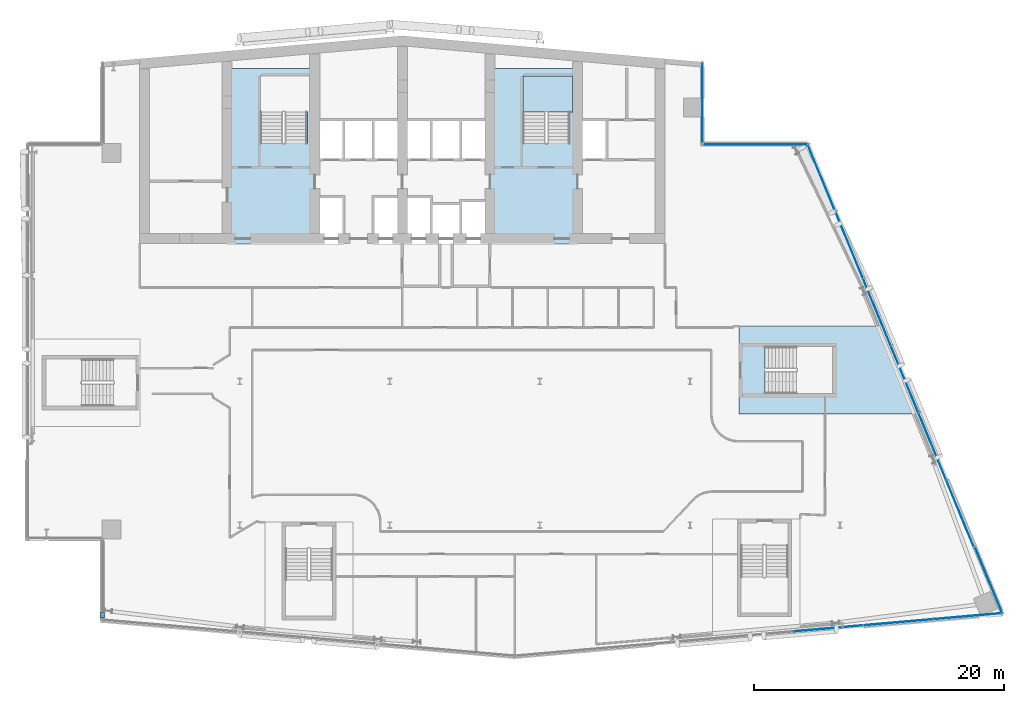
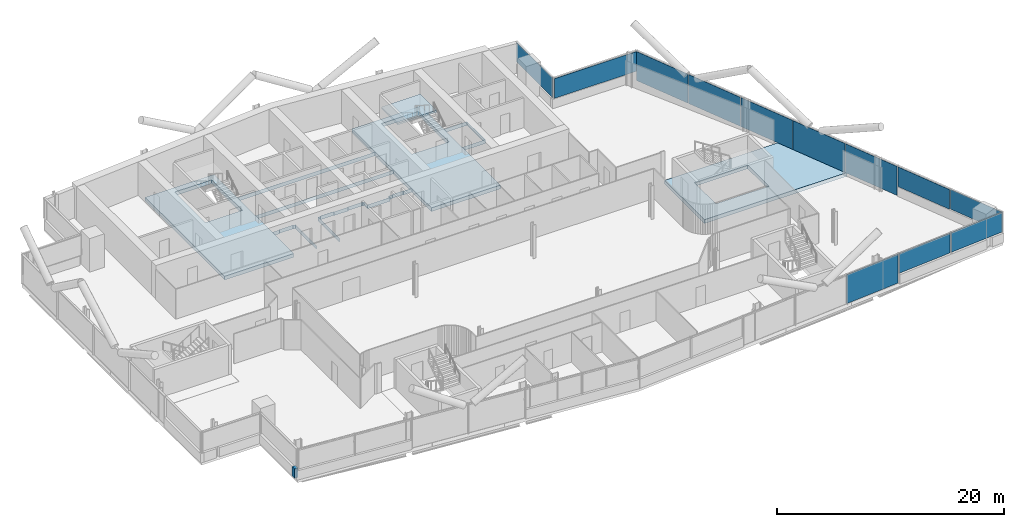
# One storey, part 13 of 27: 12 plates, 3 slabs, 1 wall, 5 elements without a shape of their own.
"""IFC4 building model written with IfcOpenShell, lengths in metres."""

from ifc_helpers import new_model, si_unit, direction, frame, frame_2d, origin, origin_2d, place, context, subcontext, project, spatial, polyline, rectangle, outline, extrude, material, layer, layer_set, type_object, element, aggregate, save


model = new_model("IFC4")

# Units and contexts
model_context = context("Model", 3, precision=1e-05, world=origin(), true_north=direction((0.0, 1.0)))
body_context = subcontext(model_context, "Body", "Model", "MODEL_VIEW")
ifc_project = project(units=[si_unit("LENGTHUNIT", "METRE"), si_unit("AREAUNIT", "SQUARE_METRE"), si_unit("VOLUMEUNIT", "CUBIC_METRE"), si_unit("PLANEANGLEUNIT", "RADIAN"), si_unit("MASSUNIT", "GRAM", prefix="KILO")], contexts=[model_context])

# Site, building, storey
site_placement = place(None, origin())
site = spatial("IfcSite", under=ifc_project, at=site_placement, CompositionType="ELEMENT")
building_placement = place(site_placement, origin())
building = spatial("IfcBuilding", under=site, at=building_placement, Name="Wharfspan Tower", CompositionType="ELEMENT")
storey_placement = place(building_placement, frame((0.0, 0.0, 159.100098)))
storey = spatial("IfcBuildingStorey", under=building, at=storey_placement, Name="L38", CompositionType="ELEMENT", Elevation=159.100098)

# Curtain wall, plates
ifc_material_1 = material(Name="Aluminium 6063-T6", Category="aluminium")
curtain_wall_type_1 = type_object("IfcCurtainWallType", Name="CURTAIN WALL FACETED FRONT", PredefinedType="NOTDEFINED", material=ifc_material_1)
curtain_wall_1_placement = place(storey_placement, origin())
curtain_wall_1 = element("IfcCurtainWall", 1, at=curtain_wall_1_placement, inside=storey, type_object=curtain_wall_type_1, Name="Curtain wall S2", PredefinedType="NOTDEFINED")
ifc_material_2 = material(Name="Glass clear low-iron double glazing", Category="glass")
ifc_layer_1 = layer(ifc_material_2, 0.040039)
ifc_layer_set_1 = layer_set([ifc_layer_1], Name="Glass clear low-iron double glazing")
plate_type_1 = type_object("IfcPlateType", Name="GLASS PANEL FACETED FRONT 40", PredefinedType="CURTAIN_PANEL", material=ifc_layer_set_1)
plate_1_placement = place(storey_placement, frame((76.637695, 3.728516, 0.999756), z_axis=(0.0, 0.0, 1.0), x_axis=(0.996198, 0.087156, 0.0)))
plate_1 = element("IfcPlate", 2, at=plate_1_placement, type_object=plate_type_1, Name="Curtain wall S2 panel 6", PredefinedType="CURTAIN_PANEL", context=body_context, shape_type="SweptSolid", body=[
    extrude(rectangle(XDim=5.532715, YDim=0.040039, at=origin_2d()), origin(), (0.0, 0.0, 1.0), 2.120117),
])
plate_2_placement = place(storey_placement, frame((82.194092, 4.214844, 0.999756), z_axis=(0.0, 0.0, 1.0), x_axis=(0.996198, 0.087156, 0.0)))
plate_2 = element("IfcPlate", 3, at=plate_2_placement, type_object=plate_type_1, Name="Curtain wall S2 panel 7", PredefinedType="CURTAIN_PANEL", context=body_context, shape_type="SweptSolid", body=[
    extrude(rectangle(XDim=5.502686, YDim=0.040039, at=origin_2d()), origin(), (0.0, 0.0, 1.0), 2.120117),
])

curtain_wall_type_2 = type_object("IfcCurtainWallType", Name="CURTAIN WALL PROW AND END", PredefinedType="NOTDEFINED", material=ifc_material_1)
curtain_wall_2_placement = place(storey_placement, origin())
curtain_wall_2 = element("IfcCurtainWall", 4, at=curtain_wall_2_placement, inside=storey, type_object=curtain_wall_type_2, Name="Curtain wall E", PredefinedType="NOTDEFINED")
ifc_layer_2 = layer(ifc_material_2, 0.040039)
ifc_layer_set_2 = layer_set([ifc_layer_2], Name="Glass clear low-iron double glazing")
plate_type_2 = type_object("IfcPlateType", Name="GLASS PANEL PROW AND END 40", PredefinedType="CURTAIN_PANEL", material=ifc_layer_set_2)
plate_3_placement = place(storey_placement, frame((83.885498, 7.099609, 0.999756), z_axis=(0.0, 0.0, 1.0), x_axis=(-0.381602, 0.924325, 0.0)))
plate_3 = element("IfcPlate", 5, at=plate_3_placement, type_object=plate_type_2, Name="Curtain wall E panel 1", PredefinedType="CURTAIN_PANEL", context=body_context, shape_type="SweptSolid", body=[
    extrude(rectangle(XDim=5.721191, YDim=0.040039, at=origin_2d()), origin(), (0.0, 0.0, 1.0), 2.120117),
])
plate_4_placement = place(storey_placement, frame((81.599609, 12.426514, 0.999756), z_axis=(0.0, 0.0, 1.0), x_axis=(-0.381602, 0.924325, 0.0)))
plate_4 = element("IfcPlate", 6, at=plate_4_placement, type_object=plate_type_2, Name="Curtain wall E panel 2", PredefinedType="CURTAIN_PANEL", context=body_context, shape_type="SweptSolid", body=[
    extrude(rectangle(XDim=5.751221, YDim=0.040039, at=origin_2d()), origin(), (0.0, 0.0, 1.0), 2.120117),
])

# Curtain wall, plate
curtain_wall_3_placement = place(storey_placement, origin())
curtain_wall_3 = element("IfcCurtainWall", 7, at=curtain_wall_3_placement, inside=storey, type_object=curtain_wall_type_2, Name="Curtain wall NRE-H", PredefinedType="NOTDEFINED")
plate_5_placement = place(storey_placement, frame((65.238525, 41.919922, 0.999756), z_axis=(0.0, 0.0, 1.0), x_axis=(-1.0, 0.0, 0.0)))
plate_5 = element("IfcPlate", 8, at=plate_5_placement, type_object=plate_type_2, Name="Curtain wall NRE-H panel 1", PredefinedType="CURTAIN_PANEL", context=body_context, shape_type="SweptSolid", body=[
    extrude(rectangle(XDim=8.357178, YDim=0.040039, at=origin_2d()), origin(), (0.0, 0.0, 1.0), 2.120117),
])
aggregate(curtain_wall_3, [plate_5])

curtain_wall_4_placement = place(storey_placement, origin())
curtain_wall_4 = element("IfcCurtainWall", 9, at=curtain_wall_4_placement, inside=storey, type_object=curtain_wall_type_2, Name="Curtain wall NRE-V", PredefinedType="NOTDEFINED")
plate_6_placement = place(storey_placement, frame((61.0, 45.262451, 0.999756), z_axis=(0.0, 0.0, 1.0), x_axis=(0.0, 1.0, 0.0)))
plate_6 = element("IfcPlate", 10, at=plate_6_placement, type_object=plate_type_2, Name="Curtain wall NRE-V panel 1", PredefinedType="CURTAIN_PANEL", context=body_context, shape_type="SweptSolid", body=[
    extrude(rectangle(XDim=6.405029, YDim=0.040039, at=origin_2d()), origin(), (0.0, 0.0, 1.0), 2.120117),
])
aggregate(curtain_wall_4, [plate_6])

# Plate
ifc_material_3 = material(Name="Aluminium composite opaque insulated panel", Category="aluminium")
ifc_layer_3 = layer(ifc_material_3, 0.040039)
ifc_layer_set_3 = layer_set([ifc_layer_3], Name="Aluminium composite opaque insulated panel")
plate_type_3 = type_object("IfcPlateType", Name="INFILL PANEL FACETED FRONT OPAQUE 40", PredefinedType="SHEET", material=ifc_layer_set_3)
plate_7_placement = place(storey_placement, frame((71.066162, 3.241211, -0.000244), z_axis=(0.0, 0.0, 1.0), x_axis=(0.996198, 0.087156, 0.0)))
plate_7 = element("IfcPlate", 11, at=plate_7_placement, type_object=plate_type_3, Name="Curtain wall S2 panel 5", PredefinedType="SHEET", context=body_context, shape_type="SweptSolid", body=[
    extrude(rectangle(XDim=5.532715, YDim=0.040039, at=origin_2d()), origin(), (0.0, 0.0, 1.0), 3.120117),
])

aggregate(curtain_wall_1, [plate_7, plate_1, plate_2])

ifc_layer_4 = layer(ifc_material_3, 0.040039)
ifc_layer_set_4 = layer_set([ifc_layer_4], Name="Aluminium composite opaque insulated panel")
plate_type_4 = type_object("IfcPlateType", Name="INFILL PANEL PROW AND END OPAQUE 40", PredefinedType="SHEET", material=ifc_layer_set_4)
plate_8_placement = place(storey_placement, frame((79.38208, 17.798096, -0.000244), z_axis=(0.0, 0.0, 1.0), x_axis=(-0.381602, 0.924325, 0.0)))
plate_8 = element("IfcPlate", 12, at=plate_8_placement, type_object=plate_type_4, Name="Curtain wall E panel 3", PredefinedType="SHEET", context=body_context, shape_type="SweptSolid", body=[
    extrude(rectangle(XDim=5.751221, YDim=0.040039, at=origin_2d()), origin(), (0.0, 0.0, 1.0), 3.120117),
])

plate_9_placement = place(storey_placement, frame((77.164551, 23.169434, -0.000244), z_axis=(0.0, 0.0, 1.0), x_axis=(-0.381602, 0.924325, 0.0)))
plate_9 = element("IfcPlate", 13, at=plate_9_placement, type_object=plate_type_4, Name="Curtain wall E panel 4", PredefinedType="SHEET", context=body_context, shape_type="SweptSolid", body=[
    extrude(rectangle(XDim=5.751221, YDim=0.040039, at=origin_2d()), origin(), (0.0, 0.0, 1.0), 3.120117),
])

plate_10_placement = place(storey_placement, frame((74.947021, 28.541016, -0.000244), z_axis=(0.0, 0.0, 1.0), x_axis=(-0.381602, 0.924325, 0.0)))
plate_10 = element("IfcPlate", 14, at=plate_10_placement, type_object=plate_type_4, Name="Curtain wall E panel 5", PredefinedType="SHEET", context=body_context, shape_type="SweptSolid", body=[
    extrude(rectangle(XDim=5.751221, YDim=0.040039, at=origin_2d()), origin(), (0.0, 0.0, 1.0), 3.120117),
])

plate_11_placement = place(storey_placement, frame((72.729492, 33.912354, -0.000244), z_axis=(0.0, 0.0, 1.0), x_axis=(-0.381602, 0.924325, 0.0)))
plate_11 = element("IfcPlate", 15, at=plate_11_placement, type_object=plate_type_4, Name="Curtain wall E panel 6", PredefinedType="SHEET", context=body_context, shape_type="SweptSolid", body=[
    extrude(rectangle(XDim=5.751221, YDim=0.040039, at=origin_2d()), origin(), (0.0, 0.0, 1.0), 3.120117),
])

plate_12_placement = place(storey_placement, frame((70.517578, 39.269775, -0.000244), z_axis=(0.0, 0.0, 1.0), x_axis=(-0.381602, 0.924325, 0.0)))
plate_12 = element("IfcPlate", 16, at=plate_12_placement, type_object=plate_type_4, Name="Curtain wall E panel 7", PredefinedType="SHEET", context=body_context, shape_type="SweptSolid", body=[
    extrude(rectangle(XDim=5.721191, YDim=0.040039, at=origin_2d()), origin(), (0.0, 0.0, 1.0), 3.120117),
])

aggregate(curtain_wall_2, [plate_3, plate_4, plate_8, plate_9, plate_10, plate_11, plate_12])

# Slabs
ifc_material_4 = material(Name="Concrete C40/50", Category="concrete")
ifc_layer_5 = layer(ifc_material_4, 0.399902)
ifc_layer_set_5 = layer_set([ifc_layer_5], Name="Concrete C40/50")
slab_type_1 = type_object("IfcSlabType", Name="Post-tensioned flat slab 400", PredefinedType="FLOOR", material=ifc_layer_set_5)
slab_1_placement = place(storey_placement, frame((0.0, 0.0, -0.400146)))
element("IfcSlab", 17, at=slab_1_placement, inside=storey, type_object=slab_type_1, Name="Core floor slab L38 part 3", PredefinedType="FLOOR", context=body_context, shape_type="SweptSolid", body=[
    extrude(outline(polyline([(23.0, 34.0), (29.998047, 34.0), (29.998047, 37.75), (29.998047, 37.750244), (29.998047, 37.750488), (29.998047, 37.750488), (29.998291, 37.750732), (29.998291, 37.750977), (29.998291, 37.751221), (29.998535, 37.751221), (29.998535, 37.751465), (29.998779, 37.751465), (29.998779, 37.751709), (29.999023, 37.751709), (29.999268, 37.751709), (29.999512, 37.751953), (29.999512, 37.751953), (29.999756, 37.751953), (30.0, 37.751953), (30.7146, 37.751953), (30.7146, 37.800049), (30.7146, 37.800293), (30.7146, 37.800293), (30.714844, 37.800537), (30.714844, 37.800781), (30.714844, 37.800781), (30.715088, 37.801025), (30.715088, 37.80127), (30.715332, 37.801514), (30.715332, 37.801514), (30.715576, 37.801758), (30.71582, 37.801758), (30.71582, 37.801758), (30.716064, 37.802002), (30.716309, 37.802002), (30.716553, 37.802002), (30.716797, 37.802002), (32.116699, 37.802002), (32.116943, 37.802002), (32.117188, 37.802002), (32.117188, 37.802002), (32.117432, 37.801758), (32.117676, 37.801758), (32.11792, 37.801758), (32.11792, 37.801514), (32.118164, 37.801514), (32.118164, 37.80127), (32.118408, 37.801025), (32.118408, 37.800781), (32.118408, 37.800781), (32.118652, 37.800537), (32.118652, 37.800293), (32.118652, 37.800293), (32.118652, 37.800049), (32.118652, 37.751953), (32.333252, 37.751953), (32.333496, 37.751953), (32.33374, 37.751953), (32.333984, 37.751953), (32.333984, 37.751709), (32.334229, 37.751709), (32.334473, 37.751709), (32.334717, 37.751465), (32.334717, 37.751465), (32.334961, 37.751221), (32.334961, 37.751221), (32.335205, 37.750977), (32.335205, 37.750732), (32.335205, 37.750488), (32.335205, 37.750488), (32.335205, 37.750244), (32.335205, 37.75), (32.335205, 34.0), (32.341309, 34.0), (32.341309, 37.758057), (32.126709, 37.758057), (32.126465, 37.758057), (32.126221, 37.758057), (32.126221, 37.758057), (32.125977, 37.758301), (32.125732, 37.758301), (32.125488, 37.758301), (32.125488, 37.758545), (32.125244, 37.758545), (32.125244, 37.758789), (32.125, 37.758789), (32.125, 37.759033), (32.125, 37.759277), (32.124756, 37.759521), (32.124756, 37.759521), (32.124756, 37.759766), (32.124756, 37.76001), (32.124756, 37.808105), (30.70874, 37.808105), (30.70874, 37.76001), (30.70874, 37.759766), (30.70874, 37.759521), (30.708496, 37.759521), (30.708496, 37.759277), (30.708496, 37.759033), (30.708496, 37.758789), (30.708252, 37.758789), (30.708008, 37.758545), (30.708008, 37.758545), (30.707764, 37.758301), (30.70752, 37.758301), (30.70752, 37.758301), (30.707275, 37.758057), (30.707031, 37.758057), (30.706787, 37.758057), (30.706787, 37.758057), (30.01001, 37.758057), (30.009766, 37.758057), (30.009521, 37.758057), (30.009521, 37.758057), (30.009277, 37.758301), (30.009033, 37.758301), (30.008789, 37.758301), (30.008789, 37.758545), (30.008545, 37.758545), (30.008545, 37.758789), (30.008301, 37.758789), (30.008301, 37.759033), (30.008301, 37.759277), (30.008057, 37.759521), (30.008057, 37.759521), (30.008057, 37.759766), (30.008057, 37.76001), (30.008057, 40.689941), (30.008057, 40.690186), (30.008057, 40.69043), (30.008057, 40.690674), (30.008301, 40.690918), (30.008301, 40.690918), (30.008301, 40.691162), (30.008545, 40.691406), (30.008545, 40.691406), (30.008789, 40.691406), (30.008789, 40.69165), (30.009033, 40.691895), (30.009277, 40.691895), (30.009521, 40.691895), (30.009521, 40.691895), (30.009766, 40.691895), (30.01001, 40.691895), (43.98999, 40.691895), (43.990234, 40.691895), (43.990479, 40.691895), (43.990479, 40.691895), (43.990723, 40.691895), (43.990967, 40.691895), (43.991211, 40.69165), (43.991211, 40.691406), (43.991455, 40.691406), (43.991455, 40.691406), (43.991699, 40.691162), (43.991699, 40.690918), (43.991699, 40.690918), (43.991943, 40.690674), (43.991943, 40.69043), (43.991943, 40.690186), (43.991943, 40.689941), (43.991943, 37.459961), (43.991943, 37.459717), (43.991943, 37.459717), (43.991943, 37.459473), (43.991699, 37.459229), (43.991699, 37.458984), (43.991699, 37.458984), (43.991455, 37.45874), (43.991455, 37.458496), (43.991211, 37.458496), (43.991211, 37.458252), (43.990967, 37.458252), (43.990723, 37.458252), (43.990479, 37.458008), (43.990479, 37.458008), (43.990234, 37.458008), (43.98999, 37.458008), (43.143311, 37.458008), (43.143066, 37.458008), (43.142822, 37.458008), (43.142578, 37.458008), (43.142578, 37.458252), (43.142334, 37.458252), (43.14209, 37.458252), (43.14209, 37.458496), (43.141846, 37.458496), (43.141846, 37.45874), (43.141602, 37.458984), (43.141602, 37.458984), (43.141602, 37.459229), (43.141357, 37.459473), (43.141357, 37.459717), (43.141357, 37.459717), (43.141357, 37.459961), (43.141357, 37.508057), (42.025391, 37.508057), (42.025391, 37.459961), (42.025391, 37.459717), (42.025391, 37.459717), (42.025146, 37.459473), (42.025146, 37.459229), (42.025146, 37.458984), (42.024902, 37.458984), (42.024902, 37.45874), (42.024658, 37.458496), (42.024658, 37.458496), (42.024414, 37.458252), (42.02417, 37.458252), (42.02417, 37.458252), (42.023926, 37.458008), (42.023682, 37.458008), (42.023438, 37.458008), (42.023193, 37.458008), (41.658691, 37.458008), (41.658691, 37.209961), (41.658691, 37.209717), (41.658691, 37.209717), (41.658691, 37.209473), (41.658447, 37.209229), (41.658447, 37.208984), (41.658447, 37.208984), (41.658203, 37.20874), (41.658203, 37.208496), (41.657959, 37.208496), (41.657715, 37.208252), (41.657715, 37.208252), (41.657471, 37.208252), (41.657227, 37.208008), (41.656982, 37.208008), (41.656982, 37.208008), (41.656738, 37.208008), (39.343262, 37.208008), (39.343018, 37.208008), (39.343018, 37.208008), (39.342773, 37.208008), (39.342529, 37.208252), (39.342285, 37.208252), (39.342285, 37.208252), (39.342041, 37.208496), (39.341797, 37.208496), (39.341797, 37.20874), (39.341553, 37.208984), (39.341553, 37.208984), (39.341553, 37.209229), (39.341309, 37.209473), (39.341309, 37.209717), (39.341309, 37.209717), (39.341309, 37.209961), (39.341309, 37.758057), (39.166748, 37.758057), (39.166504, 37.758057), (39.16626, 37.758057), (39.166016, 37.758057), (39.166016, 37.758301), (39.165771, 37.758301), (39.165527, 37.758301), (39.165283, 37.758545), (39.165283, 37.758545), (39.165283, 37.758789), (39.165039, 37.758789), (39.164795, 37.759033), (39.164795, 37.759277), (39.164795, 37.759521), (39.164795, 37.759521), (39.164795, 37.759766), (39.164795, 37.76001), (39.164795, 37.808105), (37.668701, 37.808105), (37.668701, 37.76001), (37.668701, 37.759766), (37.668701, 37.759521), (37.668701, 37.759521), (37.668457, 37.759277), (37.668457, 37.759033), (37.668457, 37.758789), (37.668213, 37.758789), (37.668213, 37.758545), (37.667969, 37.758545), (37.667725, 37.758301), (37.66748, 37.758301), (37.66748, 37.758301), (37.667236, 37.758057), (37.666992, 37.758057), (37.666992, 37.758057), (37.666748, 37.758057), (36.293213, 37.758057), (36.293213, 37.758057), (36.292969, 37.758057), (36.292725, 37.758057), (36.29248, 37.758301), (36.29248, 37.758301), (36.292236, 37.758301), (36.291992, 37.758545), (36.291992, 37.758545), (36.291748, 37.758789), (36.291504, 37.758789), (36.291504, 37.759033), (36.291504, 37.759277), (36.291504, 37.759521), (36.29126, 37.759521), (36.29126, 37.759766), (36.29126, 37.76001), (36.29126, 37.808105), (34.875244, 37.808105), (34.875244, 37.76001), (34.875244, 37.759766), (34.875244, 37.759521), (34.875244, 37.759521), (34.875, 37.759277), (34.875, 37.759033), (34.875, 37.758789), (34.874756, 37.758789), (34.874756, 37.758545), (34.874512, 37.758545), (34.874512, 37.758301), (34.874268, 37.758301), (34.874023, 37.758301), (34.873779, 37.758057), (34.873779, 37.758057), (34.873535, 37.758057), (34.873291, 37.758057), (34.658691, 37.758057), (34.658691, 34.0), (34.664795, 34.0), (34.664795, 37.75), (34.664795, 37.750244), (34.664795, 37.750488), (34.664795, 37.750488), (34.664795, 37.750732), (34.664795, 37.750977), (34.665039, 37.751221), (34.665039, 37.751221), (34.665283, 37.751465), (34.665283, 37.751465), (34.665527, 37.751709), (34.665771, 37.751709), (34.666016, 37.751709), (34.666016, 37.751953), (34.66626, 37.751953), (34.666504, 37.751953), (34.666748, 37.751953), (34.881348, 37.751953), (34.881348, 37.800049), (34.881348, 37.800293), (34.881348, 37.800293), (34.881348, 37.800537), (34.881592, 37.800781), (34.881592, 37.800781), (34.881592, 37.801025), (34.881836, 37.80127), (34.881836, 37.801514), (34.88208, 37.801514), (34.88208, 37.801758), (34.882324, 37.801758), (34.882568, 37.801758), (34.882812, 37.802002), (34.882812, 37.802002), (34.883057, 37.802002), (34.883301, 37.802002), (36.283203, 37.802002), (36.283447, 37.802002), (36.283691, 37.802002), (36.283936, 37.802002), (36.28418, 37.801758), (36.28418, 37.801758), (36.284424, 37.801758), (36.284668, 37.801514), (36.284668, 37.801514), (36.284912, 37.80127), (36.284912, 37.801025), (36.285156, 37.800781), (36.285156, 37.800781), (36.285156, 37.800537), (36.2854, 37.800293), (36.2854, 37.800293), (36.2854, 37.800049), (36.2854, 37.751953), (37.674805, 37.751953), (37.674805, 37.800049), (37.674805, 37.800293), (37.674805, 37.800293), (37.674805, 37.800537), (37.674805, 37.800781), (37.674805, 37.800781), (37.675049, 37.801025), (37.675049, 37.80127), (37.675293, 37.801514), (37.675293, 37.801514), (37.675537, 37.801758), (37.675781, 37.801758), (37.675781, 37.801758), (37.676025, 37.802002), (37.67627, 37.802002), (37.676514, 37.802002), (37.676758, 37.802002), (39.156738, 37.802002), (39.156982, 37.802002), (39.156982, 37.802002), (39.157227, 37.802002), (39.157471, 37.801758), (39.157715, 37.801758), (39.157715, 37.801758), (39.157959, 37.801514), (39.158203, 37.801514), (39.158203, 37.80127), (39.158203, 37.801025), (39.158447, 37.800781), (39.158447, 37.800781), (39.158691, 37.800537), (39.158691, 37.800293), (39.158691, 37.800293), (39.158691, 37.800049), (39.158691, 37.751953), (39.333252, 37.751953), (39.333496, 37.751953), (39.33374, 37.751953), (39.333984, 37.751953), (39.333984, 37.751709), (39.334229, 37.751709), (39.334473, 37.751709), (39.334717, 37.751465), (39.334717, 37.751465), (39.334961, 37.751221), (39.334961, 37.751221), (39.335205, 37.750977), (39.335205, 37.750732), (39.335205, 37.750488), (39.335205, 37.750488), (39.335205, 37.750244), (39.335205, 37.75), (39.335205, 37.201904), (41.664795, 37.201904), (41.664795, 37.449951), (41.664795, 37.450195), (41.664795, 37.450439), (41.664795, 37.450684), (41.664795, 37.450684), (41.664795, 37.450928), (41.665039, 37.451172), (41.665039, 37.451416), (41.665283, 37.451416), (41.665283, 37.451416), (41.665527, 37.45166), (41.665771, 37.451904), (41.666016, 37.451904), (41.666016, 37.451904), (41.66626, 37.451904), (41.666504, 37.451904), (41.666748, 37.451904), (42.03125, 37.451904), (42.03125, 37.5), (42.03125, 37.500244), (42.031494, 37.500488), (42.031494, 37.500488), (42.031494, 37.500732), (42.031494, 37.500977), (42.031738, 37.501221), (42.031738, 37.501221), (42.031982, 37.501465), (42.031982, 37.501465), (42.032227, 37.501709), (42.032471, 37.501709), (42.032715, 37.501709), (42.032715, 37.501953), (42.032959, 37.501953), (42.033203, 37.501953), (42.033203, 37.501953), (43.133301, 37.501953), (43.133545, 37.501953), (43.133789, 37.501953), (43.133789, 37.501953), (43.134033, 37.501709), (43.134277, 37.501709), (43.134521, 37.501709), (43.134521, 37.501465), (43.134766, 37.501465), (43.13501, 37.501221), (43.13501, 37.501221), (43.13501, 37.500977), (43.135254, 37.500732), (43.135254, 37.500488), (43.135254, 37.500488), (43.135254, 37.500244), (43.135254, 37.5), (43.135254, 37.451904), (44.0, 37.451904), (44.000244, 37.451904), (44.000488, 37.451904), (44.000488, 37.451904), (44.000732, 37.451904), (44.000977, 37.451904), (44.001221, 37.45166), (44.001221, 37.451416), (44.001465, 37.451416), (44.001465, 37.451416), (44.001709, 37.451172), (44.001709, 37.450928), (44.001709, 37.450684), (44.001953, 37.450684), (44.001953, 37.450439), (44.001953, 37.450195), (44.001953, 37.449951), (44.001953, 34.0), (51.0, 34.0), (51.008057, 34.0), (51.008057, 40.689941), (51.008057, 40.690186), (51.008057, 40.69043), (51.008057, 40.690674), (51.008301, 40.690918), (51.008301, 40.690918), (51.008301, 40.691162), (51.008545, 40.691406), (51.008545, 40.691406), (51.008789, 40.691406), (51.008789, 40.69165), (51.009033, 40.691895), (51.009277, 40.691895), (51.009521, 40.691895), (51.009521, 40.691895), (51.009766, 40.691895), (51.01001, 40.691895), (53.341309, 40.691895), (53.341309, 43.907959), (51.01001, 43.907959), (51.009766, 43.907959), (51.009521, 43.907959), (51.009521, 43.908203), (51.009277, 43.908203), (51.009033, 43.908203), (51.008789, 43.908203), (51.008789, 43.908447), (51.008545, 43.908691), (51.008545, 43.908691), (51.008301, 43.908936), (51.008301, 43.90918), (51.008301, 43.90918), (51.008057, 43.909424), (51.008057, 43.909668), (51.008057, 43.909912), (51.008057, 43.909912), (51.008057, 48.008057), (43.991943, 48.008057), (43.991943, 43.909912), (43.991943, 43.909912), (43.991943, 43.909668), (43.991943, 43.909424), (43.991699, 43.90918), (43.991699, 43.90918), (43.991699, 43.908936), (43.991455, 43.908691), (43.991455, 43.908691), (43.991211, 43.908447), (43.991211, 43.908203), (43.990967, 43.908203), (43.990723, 43.908203), (43.990479, 43.908203), (43.990479, 43.907959), (43.990234, 43.907959), (43.98999, 43.907959), (30.01001, 43.907959), (30.009766, 43.907959), (30.009521, 43.907959), (30.009521, 43.908203), (30.009277, 43.908203), (30.009033, 43.908203), (30.008789, 43.908203), (30.008789, 43.908447), (30.008545, 43.908691), (30.008545, 43.908691), (30.008301, 43.908936), (30.008301, 43.90918), (30.008301, 43.90918), (30.008057, 43.909424), (30.008057, 43.909668), (30.008057, 43.909912), (30.008057, 43.909912), (30.008057, 48.008057), (22.991943, 48.008057), (22.991943, 34.0), (23.0, 34.0)]), holes=[polyline([(53.333252, 43.9021), (53.333496, 43.9021), (53.33374, 43.9021), (53.333984, 43.901855), (53.333984, 43.901855), (53.334229, 43.901855), (53.334473, 43.901611), (53.334717, 43.901611), (53.334717, 43.901367), (53.334961, 43.901367), (53.334961, 43.901123), (53.335205, 43.900879), (53.335205, 43.900879), (53.335205, 43.900635), (53.335205, 43.900391), (53.335205, 43.900146), (53.335205, 43.899902), (53.335205, 40.699951), (53.335205, 40.699707), (53.335205, 40.699707), (53.335205, 40.699463), (53.335205, 40.699219), (53.335205, 40.699219), (53.334961, 40.698975), (53.334961, 40.69873), (53.334717, 40.698486), (53.334717, 40.698486), (53.334473, 40.698242), (53.334229, 40.698242), (53.333984, 40.698242), (53.333984, 40.697998), (53.33374, 40.697998), (53.333496, 40.697998), (53.333252, 40.697998), (51.0, 40.697998), (50.999756, 40.697998), (50.999512, 40.697998), (50.999512, 40.697998), (50.999268, 40.698242), (50.999023, 40.698242), (50.998779, 40.698242), (50.998779, 40.698486), (50.998535, 40.698486), (50.998535, 40.69873), (50.998291, 40.698975), (50.998291, 40.699219), (50.998291, 40.699219), (50.998047, 40.699463), (50.998047, 40.699707), (50.998047, 40.699707), (50.998047, 40.699951), (50.998047, 43.899902), (50.998047, 43.900146), (50.998047, 43.900391), (50.998047, 43.900635), (50.998291, 43.900879), (50.998291, 43.900879), (50.998291, 43.901123), (50.998535, 43.901367), (50.998535, 43.901367), (50.998779, 43.901611), (50.998779, 43.901611), (50.999023, 43.901855), (50.999268, 43.901855), (50.999512, 43.901855), (50.999512, 43.9021), (50.999756, 43.9021), (51.0, 43.9021), (53.333252, 43.9021)]), polyline([(46.649902, 41.998047), (46.649902, 41.998047), (46.649658, 41.998047), (46.649414, 41.998047), (46.64917, 41.998291), (46.64917, 41.998291), (46.648926, 41.998291), (46.648682, 41.998535), (46.648682, 41.998535), (46.648438, 41.998779), (46.648193, 41.998779), (46.648193, 41.999023), (46.648193, 41.999268), (46.648193, 41.999512), (46.647949, 41.999512), (46.647949, 41.999756), (46.647949, 42.0), (46.647949, 47.399902), (46.647949, 47.400146), (46.647949, 47.400391), (46.648193, 47.400635), (46.648193, 47.400879), (46.648193, 47.400879), (46.648193, 47.401123), (46.648438, 47.401367), (46.648682, 47.401367), (46.648682, 47.401611), (46.648926, 47.401611), (46.64917, 47.401855), (46.64917, 47.401855), (46.649414, 47.401855), (46.649658, 47.4021), (46.649902, 47.4021), (46.649902, 47.4021), (50.399902, 47.4021), (50.400146, 47.4021), (50.400391, 47.4021), (50.400635, 47.401855), (50.400879, 47.401855), (50.400879, 47.401855), (50.401123, 47.401611), (50.401367, 47.401611), (50.401367, 47.401367), (50.401611, 47.401367), (50.401611, 47.401123), (50.401855, 47.400879), (50.401855, 47.400879), (50.401855, 47.400635), (50.4021, 47.400391), (50.4021, 47.400146), (50.4021, 47.399902), (50.4021, 42.0), (50.4021, 41.999756), (50.4021, 41.999512), (50.401855, 41.999512), (50.401855, 41.999268), (50.401855, 41.999023), (50.401611, 41.998779), (50.401611, 41.998779), (50.401367, 41.998535), (50.401367, 41.998535), (50.401123, 41.998291), (50.400879, 41.998291), (50.400879, 41.998291), (50.400635, 41.998047), (50.400391, 41.998047), (50.400146, 41.998047), (50.399902, 41.998047), (46.649902, 41.998047)]), polyline([(44.0, 43.9021), (44.000244, 43.9021), (44.000488, 43.9021), (44.000488, 43.901855), (44.000732, 43.901855), (44.000977, 43.901855), (44.001221, 43.901611), (44.001221, 43.901611), (44.001465, 43.901367), (44.001465, 43.901367), (44.001709, 43.901123), (44.001709, 43.900879), (44.001709, 43.900879), (44.001953, 43.900635), (44.001953, 43.900391), (44.001953, 43.900146), (44.001953, 43.899902), (44.001953, 40.699951), (44.001953, 40.699707), (44.001953, 40.699707), (44.001953, 40.699463), (44.001709, 40.699219), (44.001709, 40.699219), (44.001709, 40.698975), (44.001465, 40.69873), (44.001465, 40.698486), (44.001221, 40.698486), (44.001221, 40.698242), (44.000977, 40.698242), (44.000732, 40.698242), (44.000488, 40.697998), (44.000488, 40.697998), (44.000244, 40.697998), (44.0, 40.697998), (30.0, 40.697998), (29.999756, 40.697998), (29.999512, 40.697998), (29.999512, 40.697998), (29.999268, 40.698242), (29.999023, 40.698242), (29.998779, 40.698242), (29.998779, 40.698486), (29.998535, 40.698486), (29.998535, 40.69873), (29.998291, 40.698975), (29.998291, 40.699219), (29.998291, 40.699219), (29.998047, 40.699463), (29.998047, 40.699707), (29.998047, 40.699707), (29.998047, 40.699951), (29.998047, 43.899902), (29.998047, 43.900146), (29.998047, 43.900391), (29.998047, 43.900635), (29.998291, 43.900879), (29.998291, 43.900879), (29.998291, 43.901123), (29.998535, 43.901367), (29.998535, 43.901367), (29.998779, 43.901611), (29.998779, 43.901611), (29.999023, 43.901855), (29.999268, 43.901855), (29.999512, 43.901855), (29.999512, 43.9021), (29.999756, 43.9021), (30.0, 43.9021), (44.0, 43.9021)]), polyline([(29.4021, 42.0), (29.4021, 41.999756), (29.4021, 41.999512), (29.401855, 41.999512), (29.401855, 41.999268), (29.401855, 41.999023), (29.401611, 41.998779), (29.401611, 41.998779), (29.401367, 41.998535), (29.401367, 41.998535), (29.401123, 41.998291), (29.400879, 41.998291), (29.400879, 41.998291), (29.400635, 41.998047), (29.400391, 41.998047), (29.400146, 41.998047), (29.399902, 41.998047), (25.649902, 41.998047), (25.649902, 41.998047), (25.649658, 41.998047), (25.649414, 41.998047), (25.64917, 41.998291), (25.64917, 41.998291), (25.648926, 41.998291), (25.648682, 41.998535), (25.648682, 41.998535), (25.648438, 41.998779), (25.648193, 41.998779), (25.648193, 41.999023), (25.648193, 41.999268), (25.648193, 41.999512), (25.647949, 41.999512), (25.647949, 41.999756), (25.647949, 42.0), (25.647949, 47.399902), (25.647949, 47.400146), (25.647949, 47.400391), (25.648193, 47.400635), (25.648193, 47.400879), (25.648193, 47.400879), (25.648193, 47.401123), (25.648438, 47.401367), (25.648682, 47.401367), (25.648682, 47.401611), (25.648926, 47.401611), (25.64917, 47.401855), (25.64917, 47.401855), (25.649414, 47.401855), (25.649658, 47.4021), (25.649902, 47.4021), (25.649902, 47.4021), (29.399902, 47.4021), (29.400146, 47.4021), (29.400391, 47.4021), (29.400635, 47.401855), (29.400879, 47.401855), (29.400879, 47.401855), (29.401123, 47.401611), (29.401367, 47.401611), (29.401367, 47.401367), (29.401611, 47.401367), (29.401611, 47.401123), (29.401855, 47.400879), (29.401855, 47.400879), (29.401855, 47.400635), (29.4021, 47.400391), (29.4021, 47.400146), (29.4021, 47.399902), (29.4021, 42.0)])]), origin(), (0.0, 0.0, 1.0), 0.400146),
])
slab_2_placement = place(storey_placement, frame((0.0, 0.0, -0.400146)))
element("IfcSlab", 18, at=slab_2_placement, inside=storey, type_object=slab_type_1, Name="Core floor slab L38 part 5", PredefinedType="FLOOR", context=body_context, shape_type="SweptSolid", body=[
    extrude(outline(polyline([(78.394531, 20.399902), (75.504639, 27.399902), (63.904541, 27.399902), (63.904541, 20.399902), (78.394531, 20.399902)]), holes=[polyline([(66.004639, 22.022949), (66.004395, 22.022949), (66.00415, 22.022949), (66.003906, 22.023193), (66.003906, 22.023193), (66.003662, 22.023193), (66.003418, 22.023193), (66.003418, 22.023438), (66.003174, 22.023682), (66.00293, 22.023682), (66.00293, 22.023926), (66.002686, 22.02417), (66.002686, 22.02417), (66.002686, 22.024414), (66.002686, 22.024658), (66.002686, 22.024902), (66.002686, 22.024902), (66.002686, 25.774902), (66.002686, 25.775146), (66.002686, 25.775391), (66.002686, 25.775635), (66.002686, 25.775879), (66.002686, 25.775879), (66.00293, 25.776123), (66.00293, 25.776367), (66.003174, 25.776367), (66.003418, 25.776611), (66.003418, 25.776611), (66.003662, 25.776855), (66.003906, 25.776855), (66.003906, 25.776855), (66.00415, 25.7771), (66.004395, 25.7771), (66.004639, 25.7771), (71.404541, 25.7771), (71.404785, 25.7771), (71.405029, 25.7771), (71.405273, 25.776855), (71.405518, 25.776855), (71.405518, 25.776855), (71.405762, 25.776611), (71.406006, 25.776611), (71.406006, 25.776367), (71.406006, 25.776367), (71.40625, 25.776123), (71.406494, 25.775879), (71.406494, 25.775879), (71.406494, 25.775635), (71.406494, 25.775391), (71.406494, 25.775146), (71.406494, 25.774902), (71.406494, 22.024902), (71.406494, 22.024902), (71.406494, 22.024658), (71.406494, 22.024414), (71.406494, 22.02417), (71.406494, 22.02417), (71.40625, 22.023926), (71.406006, 22.023682), (71.406006, 22.023682), (71.406006, 22.023438), (71.405762, 22.023193), (71.405518, 22.023193), (71.405518, 22.023193), (71.405273, 22.023193), (71.405029, 22.022949), (71.404785, 22.022949), (71.404541, 22.022949), (66.004639, 22.022949)])]), origin(), (0.0, 0.0, 1.0), 0.400146),
])

# Stair, slab
stair_type = type_object("IfcStairType", Name="Half-turn stair 20 risers 180 mm", PredefinedType="HALF_TURN_STAIR", material=ifc_material_4)
stair_placement = place(storey_placement, origin())
stair = element("IfcStair", 19, at=stair_placement, inside=storey, type_object=stair_type, Name="L38 stair ST2", PredefinedType="HALF_TURN_STAIR")
ifc_layer_6 = layer(ifc_material_4, 0.199951)
ifc_layer_set_6 = layer_set([ifc_layer_6], Name="Concrete C40/50")
slab_type_2 = type_object("IfcSlabType", Name="Stair landing 200", PredefinedType="LANDING", material=ifc_layer_set_6)
slab_3_placement = place(storey_placement, frame((0.0, 0.0, 1.599609)))
slab_3 = element("IfcSlab", 20, at=slab_3_placement, type_object=slab_type_2, Name="ST2 landing 1", PredefinedType="LANDING", context=body_context, shape_type="SweptSolid", body=[
    extrude(outline(polyline([(46.649902, 44.52002), (50.600098, 44.52002), (50.600098, 47.399902), (46.649902, 47.399902), (46.649902, 44.52002)])), origin(), (0.0, 0.0, 1.0), 0.200195),
])
aggregate(stair, [slab_3])

# Wall
ifc_layer_7 = layer(ifc_material_4, 0.350098)
ifc_layer_set_7 = layer_set([ifc_layer_7], Name="Concrete C40/50")
wall_type = type_object("IfcWallType", Name="SPANDREL EXPOSED CONCRETE 350", PredefinedType="SOLIDWALL", material=ifc_layer_set_7)
wall_placement = place(storey_placement, frame((12.995117, 4.512451, 0.0), z_axis=(0.0, 0.0, 1.0), x_axis=(0.0, -1.0, 0.0)))
element("IfcWall", 21, at=wall_placement, inside=storey, type_object=wall_type, Name="Spandrel upstand L38 NFW-V 2", PredefinedType="SOLIDWALL", context=body_context, shape_type="SweptSolid", body=[
    extrude(rectangle(XDim=0.453613, YDim=0.350098, at=frame_2d((0.226807, 0.0))), origin(), (0.0, 0.0, 1.0), 1.0),
])

save(model, "model.ifc")
